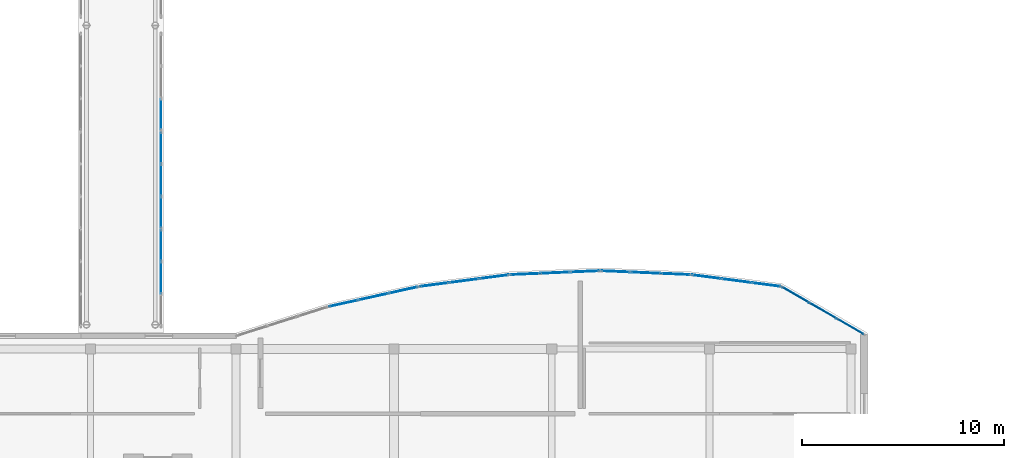
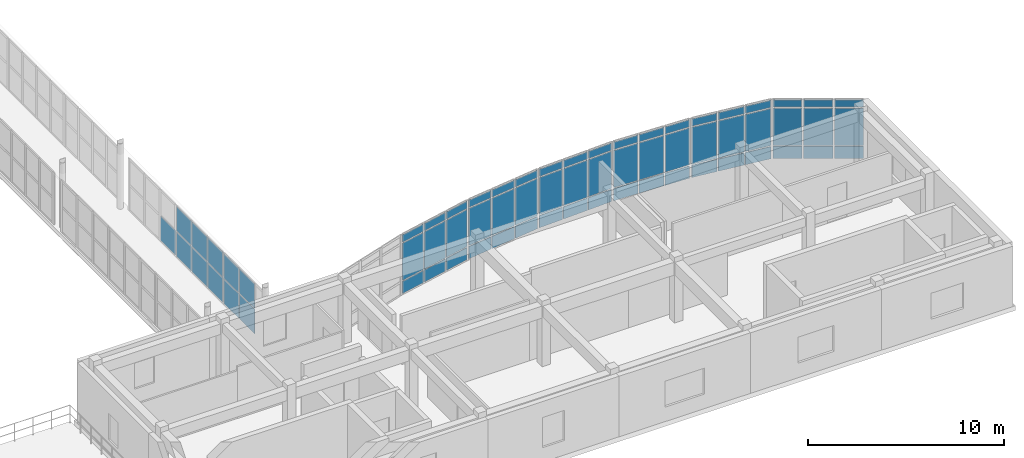
# One storey, part 38 of 52: 65 plates, 9 elements without a shape of their own.
"""IFC4 building model written with IfcOpenShell, lengths in metres."""

from ifc_helpers import new_model, si_unit, direction, frame, origin, origin_2d, place, context, subcontext, project, spatial, rectangle, extrude, material, layer, layer_set, type_object, element, aggregate, save


model = new_model("IFC4")

# Units and contexts
model_context = context("Model", 3, precision=1e-05, world=origin(), true_north=direction((0.0, 1.0)))
body_context = subcontext(model_context, "Body", "Model", "MODEL_VIEW")
ifc_project = project(units=[si_unit("LENGTHUNIT", "METRE"), si_unit("AREAUNIT", "SQUARE_METRE"), si_unit("VOLUMEUNIT", "CUBIC_METRE"), si_unit("PLANEANGLEUNIT", "RADIAN"), si_unit("MASSUNIT", "GRAM", prefix="KILO")], contexts=[model_context])

# Site, building, storey
site_placement = place(None, origin())
site = spatial("IfcSite", under=ifc_project, at=site_placement, CompositionType="ELEMENT")
building_placement = place(site_placement, origin())
building = spatial("IfcBuilding", under=site, at=building_placement, Name="Valcora Specialist Clinic", CompositionType="ELEMENT")
storey_placement = place(building_placement, frame((0.0, 0.0, 17.679931640625)))
storey = spatial("IfcBuildingStorey", under=building, at=storey_placement, Name="L04", CompositionType="ELEMENT", Elevation=17.679931640625)

# Curtain wall, plates
ifc_material_1 = material(Name="Anodized Bronze Aluminium 6063-T6", Category="aluminium")
ifc_layer_1 = layer(ifc_material_1, 0.175048828125)
ifc_layer_set_1 = layer_set([ifc_layer_1], Name="Anodized Bronze Aluminium 6063-T6")
curtain_wall_type_1 = type_object("IfcCurtainWallType", Name="TY-CW-ARC40", PredefinedType="NOTDEFINED", material=ifc_layer_set_1)
curtain_wall_1_placement = place(storey_placement, origin())
curtain_wall_1 = element("IfcCurtainWall", 1, at=curtain_wall_1_placement, inside=storey, type_object=curtain_wall_type_1, Name="Curtain wall CW-L04-220", PredefinedType="NOTDEFINED")
ifc_material_2 = material(Name="Low-E Laminated Insulating Glass", Category="glass")
ifc_layer_2 = layer(ifc_material_2, 0.028076171875)
ifc_layer_set_2 = layer_set([ifc_layer_2], Name="Low-E Laminated Insulating Glass")
plate_type_1 = type_object("IfcPlateType", Name="TY-CWP-GLZ28", PredefinedType="CURTAIN_PANEL", material=ifc_layer_set_2)
plate_1_placement = place(storey_placement, frame((78.7900390625, 25.182373046875, 0.882568359375), z_axis=(0.0, 0.0, 1.0), x_axis=(0.991514060421, 0.129999492259, 0.0)))
plate_1 = element("IfcPlate", 2, at=plate_1_placement, type_object=plate_type_1, Name="CW-ARC-40 panel 1.2", PredefinedType="CURTAIN_PANEL", context=body_context, shape_type="SweptSolid", body=[
    extrude(rectangle(XDim=1.410888671875, YDim=0.028076171875, at=origin_2d()), origin(), (0.0, 0.0, 1.0), 2.31005859375),
])
plate_2_placement = place(storey_placement, frame((78.7900390625, 25.182373046875, 3.2578125), z_axis=(0.0, 0.0, 1.0), x_axis=(0.991514060421, 0.129999492259, 0.0)))
plate_2 = element("IfcPlate", 3, at=plate_2_placement, type_object=plate_type_1, Name="CW-ARC-40 panel 1.3", PredefinedType="CURTAIN_PANEL", context=body_context, shape_type="SweptSolid", body=[
    extrude(rectangle(XDim=1.410888671875, YDim=0.028076171875, at=origin_2d()), origin(), (0.0, 0.0, 1.0), 0.452392578125),
])
plate_3_placement = place(storey_placement, frame((80.26953125, 25.376220703125, 0.882568359375), z_axis=(0.0, 0.0, 1.0), x_axis=(0.991514060421, 0.129999492259, 0.0)))
plate_3 = element("IfcPlate", 4, at=plate_3_placement, type_object=plate_type_1, Name="CW-ARC-40 panel 2.2", PredefinedType="CURTAIN_PANEL", context=body_context, shape_type="SweptSolid", body=[
    extrude(rectangle(XDim=1.443359375, YDim=0.028076171875, at=origin_2d()), origin(), (0.0, 0.0, 1.0), 2.31005859375),
])
plate_4_placement = place(storey_placement, frame((80.26953125, 25.376220703125, 3.2578125), z_axis=(0.0, 0.0, 1.0), x_axis=(0.991514060421, 0.129999492259, 0.0)))
plate_4 = element("IfcPlate", 5, at=plate_4_placement, type_object=plate_type_1, Name="CW-ARC-40 panel 2.3", PredefinedType="CURTAIN_PANEL", context=body_context, shape_type="SweptSolid", body=[
    extrude(rectangle(XDim=1.443359375, YDim=0.028076171875, at=origin_2d()), origin(), (0.0, 0.0, 1.0), 0.452392578125),
])
plate_5_placement = place(storey_placement, frame((81.7490234375, 25.5703125, 0.882568359375), z_axis=(0.0, 0.0, 1.0), x_axis=(0.991514060421, 0.129999492259, 0.0)))
plate_5 = element("IfcPlate", 6, at=plate_5_placement, type_object=plate_type_1, Name="CW-ARC-40 panel 3.2", PredefinedType="CURTAIN_PANEL", context=body_context, shape_type="SweptSolid", body=[
    extrude(rectangle(XDim=1.410888671875, YDim=0.028076171875, at=origin_2d()), origin(), (0.0, 0.0, 1.0), 2.31005859375),
])
plate_6_placement = place(storey_placement, frame((81.7490234375, 25.5703125, 3.2578125), z_axis=(0.0, 0.0, 1.0), x_axis=(0.991514060421, 0.129999492259, 0.0)))
plate_6 = element("IfcPlate", 7, at=plate_6_placement, type_object=plate_type_1, Name="CW-ARC-40 panel 3.3", PredefinedType="CURTAIN_PANEL", context=body_context, shape_type="SweptSolid", body=[
    extrude(rectangle(XDim=1.410888671875, YDim=0.028076171875, at=origin_2d()), origin(), (0.0, 0.0, 1.0), 0.452392578125),
])

curtain_wall_2_placement = place(storey_placement, origin())
curtain_wall_2 = element("IfcCurtainWall", 8, at=curtain_wall_2_placement, inside=storey, type_object=curtain_wall_type_1, Name="Curtain wall CW-L04-222", PredefinedType="NOTDEFINED")
plate_7_placement = place(storey_placement, frame((87.76416015625, 25.831787109375, 0.882568359375), z_axis=(0.0, 0.0, 1.0), x_axis=(0.999061821291, -0.043306780525, 0.0)))
plate_7 = element("IfcPlate", 9, at=plate_7_placement, type_object=plate_type_1, Name="CW-ARC-40 panel 1.2", PredefinedType="CURTAIN_PANEL", context=body_context, shape_type="SweptSolid", body=[
    extrude(rectangle(XDim=1.399658203125, YDim=0.028076171875, at=origin_2d()), origin(), (0.0, 0.0, 1.0), 2.31005859375),
])
plate_8_placement = place(storey_placement, frame((87.76416015625, 25.831787109375, 3.2578125), z_axis=(0.0, 0.0, 1.0), x_axis=(0.999061821291, -0.043306780525, 0.0)))
plate_8 = element("IfcPlate", 10, at=plate_8_placement, type_object=plate_type_1, Name="CW-ARC-40 panel 1.3", PredefinedType="CURTAIN_PANEL", context=body_context, shape_type="SweptSolid", body=[
    extrude(rectangle(XDim=1.399658203125, YDim=0.028076171875, at=origin_2d()), origin(), (0.0, 0.0, 1.0), 0.452392578125),
])
plate_9_placement = place(storey_placement, frame((89.243408203125, 25.767578125, 0.882568359375), z_axis=(0.0, 0.0, 1.0), x_axis=(0.999061821291, -0.043306780525, 0.0)))
plate_9 = element("IfcPlate", 11, at=plate_9_placement, type_object=plate_type_1, Name="CW-ARC-40 panel 2.2", PredefinedType="CURTAIN_PANEL", context=body_context, shape_type="SweptSolid", body=[
    extrude(rectangle(XDim=1.43212890625, YDim=0.028076171875, at=origin_2d()), origin(), (0.0, 0.0, 1.0), 2.31005859375),
])
plate_10_placement = place(storey_placement, frame((89.243408203125, 25.767578125, 3.2578125), z_axis=(0.0, 0.0, 1.0), x_axis=(0.999061821291, -0.043306780525, 0.0)))
plate_10 = element("IfcPlate", 12, at=plate_10_placement, type_object=plate_type_1, Name="CW-ARC-40 panel 2.3", PredefinedType="CURTAIN_PANEL", context=body_context, shape_type="SweptSolid", body=[
    extrude(rectangle(XDim=1.43212890625, YDim=0.028076171875, at=origin_2d()), origin(), (0.0, 0.0, 1.0), 0.452392578125),
])
plate_11_placement = place(storey_placement, frame((90.722900390625, 25.70361328125, 0.882568359375), z_axis=(0.0, 0.0, 1.0), x_axis=(0.999061821291, -0.043306780525, 0.0)))
plate_11 = element("IfcPlate", 13, at=plate_11_placement, type_object=plate_type_1, Name="CW-ARC-40 panel 3.2", PredefinedType="CURTAIN_PANEL", context=body_context, shape_type="SweptSolid", body=[
    extrude(rectangle(XDim=1.399658203125, YDim=0.028076171875, at=origin_2d()), origin(), (0.0, 0.0, 1.0), 2.31005859375),
])
plate_12_placement = place(storey_placement, frame((90.722900390625, 25.70361328125, 3.2578125), z_axis=(0.0, 0.0, 1.0), x_axis=(0.999061821291, -0.043306780525, 0.0)))
plate_12 = element("IfcPlate", 14, at=plate_12_placement, type_object=plate_type_1, Name="CW-ARC-40 panel 3.3", PredefinedType="CURTAIN_PANEL", context=body_context, shape_type="SweptSolid", body=[
    extrude(rectangle(XDim=1.399658203125, YDim=0.028076171875, at=origin_2d()), origin(), (0.0, 0.0, 1.0), 0.452392578125),
])

curtain_wall_3_placement = place(storey_placement, origin())
curtain_wall_3 = element("IfcCurtainWall", 15, at=curtain_wall_3_placement, inside=storey, type_object=curtain_wall_type_1, Name="Curtain wall CW-L04-224", PredefinedType="NOTDEFINED")
plate_13_placement = place(storey_placement, frame((96.64794921875, 24.681884765625, 0.882568359375), z_axis=(0.0, 0.0, 1.0), x_axis=(0.865565517799, -0.500795701257, 0.0)))
plate_13 = element("IfcPlate", 16, at=plate_13_placement, type_object=plate_type_1, Name="CW-ARC-40 panel 1.2", PredefinedType="CURTAIN_PANEL", context=body_context, shape_type="SweptSolid", body=[
    extrude(rectangle(XDim=1.481201171875, YDim=0.028076171875, at=origin_2d()), origin(), (0.0, 0.0, 1.0), 2.31005859375),
])
plate_14_placement = place(storey_placement, frame((96.64794921875, 24.681884765625, 3.2578125), z_axis=(0.0, 0.0, 1.0), x_axis=(0.865565517799, -0.500795701257, 0.0)))
plate_14 = element("IfcPlate", 17, at=plate_14_placement, type_object=plate_type_1, Name="CW-ARC-40 panel 1.3", PredefinedType="CURTAIN_PANEL", context=body_context, shape_type="SweptSolid", body=[
    extrude(rectangle(XDim=1.481201171875, YDim=0.028076171875, at=origin_2d()), origin(), (0.0, 0.0, 1.0), 0.452392578125),
])
plate_15_placement = place(storey_placement, frame((98.00048828125, 23.8994140625, 0.882568359375), z_axis=(0.0, 0.0, 1.0), x_axis=(0.865565517799, -0.500795701257, 0.0)))
plate_15 = element("IfcPlate", 18, at=plate_15_placement, type_object=plate_type_1, Name="CW-ARC-40 panel 2.2", PredefinedType="CURTAIN_PANEL", context=body_context, shape_type="SweptSolid", body=[
    extrude(rectangle(XDim=1.513671875, YDim=0.028076171875, at=origin_2d()), origin(), (0.0, 0.0, 1.0), 2.31005859375),
])
plate_16_placement = place(storey_placement, frame((98.00048828125, 23.8994140625, 3.2578125), z_axis=(0.0, 0.0, 1.0), x_axis=(0.865565517799, -0.500795701257, 0.0)))
plate_16 = element("IfcPlate", 19, at=plate_16_placement, type_object=plate_type_1, Name="CW-ARC-40 panel 2.3", PredefinedType="CURTAIN_PANEL", context=body_context, shape_type="SweptSolid", body=[
    extrude(rectangle(XDim=1.513671875, YDim=0.028076171875, at=origin_2d()), origin(), (0.0, 0.0, 1.0), 0.452392578125),
])
plate_17_placement = place(storey_placement, frame((99.352783203125, 23.116943359375, 0.882568359375), z_axis=(0.0, 0.0, 1.0), x_axis=(0.865565517799, -0.500795701257, 0.0)))
plate_17 = element("IfcPlate", 20, at=plate_17_placement, type_object=plate_type_1, Name="CW-ARC-40 panel 3.2", PredefinedType="CURTAIN_PANEL", context=body_context, shape_type="SweptSolid", body=[
    extrude(rectangle(XDim=1.481201171875, YDim=0.028076171875, at=origin_2d()), origin(), (0.0, 0.0, 1.0), 2.31005859375),
])
plate_18_placement = place(storey_placement, frame((99.352783203125, 23.116943359375, 3.2578125), z_axis=(0.0, 0.0, 1.0), x_axis=(0.865565517799, -0.500795701257, 0.0)))
plate_18 = element("IfcPlate", 21, at=plate_18_placement, type_object=plate_type_1, Name="CW-ARC-40 panel 3.3", PredefinedType="CURTAIN_PANEL", context=body_context, shape_type="SweptSolid", body=[
    extrude(rectangle(XDim=1.481201171875, YDim=0.028076171875, at=origin_2d()), origin(), (0.0, 0.0, 1.0), 0.452392578125),
])

ifc_layer_3 = layer(ifc_material_1, 0.175048828125)
ifc_layer_set_3 = layer_set([ifc_layer_3], Name="Anodized Bronze Aluminium 6063-T6")
curtain_wall_type_2 = type_object("IfcCurtainWallType", Name="TY-CW-BRG14", PredefinedType="NOTDEFINED", material=ifc_layer_set_3)
curtain_wall_4_placement = place(storey_placement, origin())
curtain_wall_4 = element("IfcCurtainWall", 22, at=curtain_wall_4_placement, inside=storey, type_object=curtain_wall_type_2, Name="Curtain wall CW-L04-276", PredefinedType="NOTDEFINED")
plate_19_placement = place(storey_placement, frame((65.280029296875, 25.5166015625, 0.065185546875), z_axis=(0.0, 0.0, 1.0), x_axis=(0.0, 1.0, 0.0)))
plate_19 = element("IfcPlate", 23, at=plate_19_placement, type_object=plate_type_1, Name="CW-BRG-14 panel 2.1", PredefinedType="CURTAIN_PANEL", context=body_context, shape_type="SweptSolid", body=[
    extrude(rectangle(XDim=1.546142578125, YDim=0.028076171875, at=origin_2d()), origin(), (0.0, 0.0, 1.0), 1.5224609375),
])
plate_20_placement = place(storey_placement, frame((65.280029296875, 25.5166015625, 1.652587890625), z_axis=(0.0, 0.0, 1.0), x_axis=(0.0, 1.0, 0.0)))
plate_20 = element("IfcPlate", 24, at=plate_20_placement, type_object=plate_type_1, Name="CW-BRG-14 panel 2.2", PredefinedType="CURTAIN_PANEL", context=body_context, shape_type="SweptSolid", body=[
    extrude(rectangle(XDim=1.546142578125, YDim=0.028076171875, at=origin_2d()), origin(), (0.0, 0.0, 1.0), 1.5224609375),
])
plate_21_placement = place(storey_placement, frame((65.280029296875, 27.111572265625, 0.065185546875), z_axis=(0.0, 0.0, 1.0), x_axis=(0.0, 1.0, 0.0)))
plate_21 = element("IfcPlate", 25, at=plate_21_placement, type_object=plate_type_1, Name="CW-BRG-14 panel 3.1", PredefinedType="CURTAIN_PANEL", context=body_context, shape_type="SweptSolid", body=[
    extrude(rectangle(XDim=1.513671875, YDim=0.028076171875, at=origin_2d()), origin(), (0.0, 0.0, 1.0), 1.5224609375),
])
plate_22_placement = place(storey_placement, frame((65.280029296875, 27.111572265625, 1.652587890625), z_axis=(0.0, 0.0, 1.0), x_axis=(0.0, 1.0, 0.0)))
plate_22 = element("IfcPlate", 26, at=plate_22_placement, type_object=plate_type_1, Name="CW-BRG-14 panel 3.2", PredefinedType="CURTAIN_PANEL", context=body_context, shape_type="SweptSolid", body=[
    extrude(rectangle(XDim=1.513671875, YDim=0.028076171875, at=origin_2d()), origin(), (0.0, 0.0, 1.0), 1.5224609375),
])
aggregate(curtain_wall_4, [plate_19, plate_20, plate_21, plate_22])

# Curtain wall, plate
curtain_wall_5_placement = place(storey_placement, origin())
curtain_wall_5 = element("IfcCurtainWall", 27, at=curtain_wall_5_placement, inside=storey, type_object=curtain_wall_type_2, Name="Curtain wall CW-L04-278", PredefinedType="NOTDEFINED")
plate_23_placement = place(storey_placement, frame((65.280029296875, 33.58837890625, 0.065185546875), z_axis=(0.0, 0.0, 1.0), x_axis=(0.0, 1.0, 0.0)))
plate_23 = element("IfcPlate", 28, at=plate_23_placement, type_object=plate_type_1, Name="CW-BRG-14 panel 1.1", PredefinedType="CURTAIN_PANEL", context=body_context, shape_type="SweptSolid", body=[
    extrude(rectangle(XDim=1.513671875, YDim=0.028076171875, at=origin_2d()), origin(), (0.0, 0.0, 1.0), 1.5224609375),
])
aggregate(curtain_wall_5, [plate_23])

# Curtain wall, plates
curtain_wall_6_placement = place(storey_placement, origin())
curtain_wall_6 = element("IfcCurtainWall", 29, at=curtain_wall_6_placement, inside=storey, type_object=curtain_wall_type_1, Name="Curtain wall CW-L04-219", PredefinedType="NOTDEFINED")
ifc_layer_4 = layer(ifc_material_2, 0.033935546875)
ifc_layer_set_4 = layer_set([ifc_layer_4], Name="Low-E Laminated Insulating Glass")
plate_type_2 = type_object("IfcPlateType", Name="TY-CWP-GLZ34", PredefinedType="CURTAIN_PANEL", material=ifc_layer_set_4)
plate_24_placement = place(storey_placement, frame((74.302734375, 24.25634765625, 0.882568359375), z_axis=(0.0, 0.0, 1.0), x_axis=(0.976278614432, 0.216518052372, 0.0)))
plate_24 = element("IfcPlate", 30, at=plate_24_placement, type_object=plate_type_2, Name="CW-ARC-40 panel 1.2", PredefinedType="CURTAIN_PANEL", context=body_context, shape_type="SweptSolid", body=[
    extrude(rectangle(XDim=1.4345703125, YDim=0.033935546875, at=origin_2d()), origin(), (0.0, 0.0, 1.0), 2.31005859375),
])
plate_25_placement = place(storey_placement, frame((74.302734375, 24.25634765625, 3.2578125), z_axis=(0.0, 0.0, 1.0), x_axis=(0.976278614432, 0.216518052372, 0.0)))
plate_25 = element("IfcPlate", 31, at=plate_25_placement, type_object=plate_type_2, Name="CW-ARC-40 panel 1.3", PredefinedType="CURTAIN_PANEL", context=body_context, shape_type="SweptSolid", body=[
    extrude(rectangle(XDim=1.4345703125, YDim=0.033935546875, at=origin_2d()), origin(), (0.0, 0.0, 1.0), 0.452392578125),
])
plate_26_placement = place(storey_placement, frame((75.782470703125, 24.58447265625, 0.882568359375), z_axis=(0.0, 0.0, 1.0), x_axis=(0.976278614432, 0.216518052372, 0.0)))
plate_26 = element("IfcPlate", 32, at=plate_26_placement, type_object=plate_type_2, Name="CW-ARC-40 panel 2.2", PredefinedType="CURTAIN_PANEL", context=body_context, shape_type="SweptSolid", body=[
    extrude(rectangle(XDim=1.467041015625, YDim=0.033935546875, at=origin_2d()), origin(), (0.0, 0.0, 1.0), 2.31005859375),
])
plate_27_placement = place(storey_placement, frame((75.782470703125, 24.58447265625, 3.2578125), z_axis=(0.0, 0.0, 1.0), x_axis=(0.976278614432, 0.216518052372, 0.0)))
plate_27 = element("IfcPlate", 33, at=plate_27_placement, type_object=plate_type_2, Name="CW-ARC-40 panel 2.3", PredefinedType="CURTAIN_PANEL", context=body_context, shape_type="SweptSolid", body=[
    extrude(rectangle(XDim=1.467041015625, YDim=0.033935546875, at=origin_2d()), origin(), (0.0, 0.0, 1.0), 0.452392578125),
])
plate_28_placement = place(storey_placement, frame((77.26220703125, 24.912841796875, 0.882568359375), z_axis=(0.0, 0.0, 1.0), x_axis=(0.976278614432, 0.216518052372, 0.0)))
plate_28 = element("IfcPlate", 34, at=plate_28_placement, type_object=plate_type_2, Name="CW-ARC-40 panel 3.2", PredefinedType="CURTAIN_PANEL", context=body_context, shape_type="SweptSolid", body=[
    extrude(rectangle(XDim=1.4345703125, YDim=0.033935546875, at=origin_2d()), origin(), (0.0, 0.0, 1.0), 2.31005859375),
])
plate_29_placement = place(storey_placement, frame((77.26220703125, 24.912841796875, 3.2578125), z_axis=(0.0, 0.0, 1.0), x_axis=(0.976278614432, 0.216518052372, 0.0)))
plate_29 = element("IfcPlate", 35, at=plate_29_placement, type_object=plate_type_2, Name="CW-ARC-40 panel 3.3", PredefinedType="CURTAIN_PANEL", context=body_context, shape_type="SweptSolid", body=[
    extrude(rectangle(XDim=1.4345703125, YDim=0.033935546875, at=origin_2d()), origin(), (0.0, 0.0, 1.0), 0.452392578125),
])

curtain_wall_7_placement = place(storey_placement, origin())
curtain_wall_7 = element("IfcCurtainWall", 36, at=curtain_wall_7_placement, inside=storey, type_object=curtain_wall_type_1, Name="Curtain wall CW-L04-221", PredefinedType="NOTDEFINED")
plate_30_placement = place(storey_placement, frame((83.277099609375, 25.70361328125, 0.882568359375), z_axis=(0.0, 0.0, 1.0), x_axis=(0.999061821291, 0.043306780525, 0.0)))
plate_30 = element("IfcPlate", 37, at=plate_30_placement, type_object=plate_type_2, Name="CW-ARC-40 panel 1.2", PredefinedType="CURTAIN_PANEL", context=body_context, shape_type="SweptSolid", body=[
    extrude(rectangle(XDim=1.399658203125, YDim=0.033935546875, at=origin_2d()), origin(), (0.0, 0.0, 1.0), 2.31005859375),
])
plate_31_placement = place(storey_placement, frame((83.277099609375, 25.70361328125, 3.2578125), z_axis=(0.0, 0.0, 1.0), x_axis=(0.999061821291, 0.043306780525, 0.0)))
plate_31 = element("IfcPlate", 38, at=plate_31_placement, type_object=plate_type_2, Name="CW-ARC-40 panel 1.3", PredefinedType="CURTAIN_PANEL", context=body_context, shape_type="SweptSolid", body=[
    extrude(rectangle(XDim=1.399658203125, YDim=0.033935546875, at=origin_2d()), origin(), (0.0, 0.0, 1.0), 0.452392578125),
])
plate_32_placement = place(storey_placement, frame((84.756591796875, 25.767578125, 0.882568359375), z_axis=(0.0, 0.0, 1.0), x_axis=(0.999061821291, 0.043306780525, 0.0)))
plate_32 = element("IfcPlate", 39, at=plate_32_placement, type_object=plate_type_2, Name="CW-ARC-40 panel 2.2", PredefinedType="CURTAIN_PANEL", context=body_context, shape_type="SweptSolid", body=[
    extrude(rectangle(XDim=1.43212890625, YDim=0.033935546875, at=origin_2d()), origin(), (0.0, 0.0, 1.0), 2.31005859375),
])
plate_33_placement = place(storey_placement, frame((84.756591796875, 25.767578125, 3.2578125), z_axis=(0.0, 0.0, 1.0), x_axis=(0.999061821291, 0.043306780525, 0.0)))
plate_33 = element("IfcPlate", 40, at=plate_33_placement, type_object=plate_type_2, Name="CW-ARC-40 panel 2.3", PredefinedType="CURTAIN_PANEL", context=body_context, shape_type="SweptSolid", body=[
    extrude(rectangle(XDim=1.43212890625, YDim=0.033935546875, at=origin_2d()), origin(), (0.0, 0.0, 1.0), 0.452392578125),
])
plate_34_placement = place(storey_placement, frame((86.23583984375, 25.831787109375, 0.882568359375), z_axis=(0.0, 0.0, 1.0), x_axis=(0.999061821291, 0.043306780525, 0.0)))
plate_34 = element("IfcPlate", 41, at=plate_34_placement, type_object=plate_type_2, Name="CW-ARC-40 panel 3.2", PredefinedType="CURTAIN_PANEL", context=body_context, shape_type="SweptSolid", body=[
    extrude(rectangle(XDim=1.399658203125, YDim=0.033935546875, at=origin_2d()), origin(), (0.0, 0.0, 1.0), 2.31005859375),
])
plate_35_placement = place(storey_placement, frame((86.23583984375, 25.831787109375, 3.2578125), z_axis=(0.0, 0.0, 1.0), x_axis=(0.999061821291, 0.043306780525, 0.0)))
plate_35 = element("IfcPlate", 42, at=plate_35_placement, type_object=plate_type_2, Name="CW-ARC-40 panel 3.3", PredefinedType="CURTAIN_PANEL", context=body_context, shape_type="SweptSolid", body=[
    extrude(rectangle(XDim=1.399658203125, YDim=0.033935546875, at=origin_2d()), origin(), (0.0, 0.0, 1.0), 0.452392578125),
])

curtain_wall_8_placement = place(storey_placement, origin())
curtain_wall_8 = element("IfcCurtainWall", 43, at=curtain_wall_8_placement, inside=storey, type_object=curtain_wall_type_1, Name="Curtain wall CW-L04-223", PredefinedType="NOTDEFINED")
plate_36_placement = place(storey_placement, frame((92.2470703125, 25.57080078125, 0.882568359375), z_axis=(0.0, 0.0, 1.0), x_axis=(0.991515726638, -0.129986783286, 0.0)))
plate_36 = element("IfcPlate", 44, at=plate_36_placement, type_object=plate_type_2, Name="CW-ARC-40 panel 1.2", PredefinedType="CURTAIN_PANEL", context=body_context, shape_type="SweptSolid", body=[
    extrude(rectangle(XDim=1.403076171875, YDim=0.033935546875, at=origin_2d()), origin(), (0.0, 0.0, 1.0), 2.31005859375),
])
plate_37_placement = place(storey_placement, frame((92.2470703125, 25.57080078125, 3.2578125), z_axis=(0.0, 0.0, 1.0), x_axis=(0.991515726638, -0.129986783286, 0.0)))
plate_37 = element("IfcPlate", 45, at=plate_37_placement, type_object=plate_type_2, Name="CW-ARC-40 panel 1.3", PredefinedType="CURTAIN_PANEL", context=body_context, shape_type="SweptSolid", body=[
    extrude(rectangle(XDim=1.403076171875, YDim=0.033935546875, at=origin_2d()), origin(), (0.0, 0.0, 1.0), 0.452392578125),
])
plate_38_placement = place(storey_placement, frame((93.718994140625, 25.377685546875, 0.882568359375), z_axis=(0.0, 0.0, 1.0), x_axis=(0.991515726638, -0.129986783286, 0.0)))
plate_38 = element("IfcPlate", 46, at=plate_38_placement, type_object=plate_type_2, Name="CW-ARC-40 panel 2.2", PredefinedType="CURTAIN_PANEL", context=body_context, shape_type="SweptSolid", body=[
    extrude(rectangle(XDim=1.435546875, YDim=0.033935546875, at=origin_2d()), origin(), (0.0, 0.0, 1.0), 2.31005859375),
])
plate_39_placement = place(storey_placement, frame((93.718994140625, 25.377685546875, 3.2578125), z_axis=(0.0, 0.0, 1.0), x_axis=(0.991515726638, -0.129986783286, 0.0)))
plate_39 = element("IfcPlate", 47, at=plate_39_placement, type_object=plate_type_2, Name="CW-ARC-40 panel 2.3", PredefinedType="CURTAIN_PANEL", context=body_context, shape_type="SweptSolid", body=[
    extrude(rectangle(XDim=1.435546875, YDim=0.033935546875, at=origin_2d()), origin(), (0.0, 0.0, 1.0), 0.452392578125),
])
plate_40_placement = place(storey_placement, frame((95.190673828125, 25.184814453125, 0.882568359375), z_axis=(0.0, 0.0, 1.0), x_axis=(0.991515726638, -0.129986783286, 0.0)))
plate_40 = element("IfcPlate", 48, at=plate_40_placement, type_object=plate_type_2, Name="CW-ARC-40 panel 3.2", PredefinedType="CURTAIN_PANEL", context=body_context, shape_type="SweptSolid", body=[
    extrude(rectangle(XDim=1.403076171875, YDim=0.033935546875, at=origin_2d()), origin(), (0.0, 0.0, 1.0), 2.31005859375),
])
plate_41_placement = place(storey_placement, frame((95.190673828125, 25.184814453125, 3.2578125), z_axis=(0.0, 0.0, 1.0), x_axis=(0.991515726638, -0.129986783286, 0.0)))
plate_41 = element("IfcPlate", 49, at=plate_41_placement, type_object=plate_type_2, Name="CW-ARC-40 panel 3.3", PredefinedType="CURTAIN_PANEL", context=body_context, shape_type="SweptSolid", body=[
    extrude(rectangle(XDim=1.403076171875, YDim=0.033935546875, at=origin_2d()), origin(), (0.0, 0.0, 1.0), 0.452392578125),
])

curtain_wall_9_placement = place(storey_placement, origin())
curtain_wall_9 = element("IfcCurtainWall", 50, at=curtain_wall_9_placement, inside=storey, type_object=curtain_wall_type_2, Name="Curtain wall CW-L04-277", PredefinedType="NOTDEFINED")
plate_42_placement = place(storey_placement, frame((65.280029296875, 28.755126953125, 0.065185546875), z_axis=(0.0, 0.0, 1.0), x_axis=(0.0, 1.0, 0.0)))
plate_42 = element("IfcPlate", 51, at=plate_42_placement, type_object=plate_type_2, Name="CW-BRG-14 panel 1.1", PredefinedType="CURTAIN_PANEL", context=body_context, shape_type="SweptSolid", body=[
    extrude(rectangle(XDim=1.513671875, YDim=0.033935546875, at=origin_2d()), origin(), (0.0, 0.0, 1.0), 1.5224609375),
])
plate_43_placement = place(storey_placement, frame((65.280029296875, 28.755126953125, 1.652587890625), z_axis=(0.0, 0.0, 1.0), x_axis=(0.0, 1.0, 0.0)))
plate_43 = element("IfcPlate", 52, at=plate_43_placement, type_object=plate_type_2, Name="CW-BRG-14 panel 1.2", PredefinedType="CURTAIN_PANEL", context=body_context, shape_type="SweptSolid", body=[
    extrude(rectangle(XDim=1.513671875, YDim=0.033935546875, at=origin_2d()), origin(), (0.0, 0.0, 1.0), 1.5224609375),
])
plate_44_placement = place(storey_placement, frame((65.280029296875, 30.35009765625, 0.065185546875), z_axis=(0.0, 0.0, 1.0), x_axis=(0.0, 1.0, 0.0)))
plate_44 = element("IfcPlate", 53, at=plate_44_placement, type_object=plate_type_2, Name="CW-BRG-14 panel 2.1", PredefinedType="CURTAIN_PANEL", context=body_context, shape_type="SweptSolid", body=[
    extrude(rectangle(XDim=1.546142578125, YDim=0.033935546875, at=origin_2d()), origin(), (0.0, 0.0, 1.0), 1.5224609375),
])
plate_45_placement = place(storey_placement, frame((65.280029296875, 30.35009765625, 1.652587890625), z_axis=(0.0, 0.0, 1.0), x_axis=(0.0, 1.0, 0.0)))
plate_45 = element("IfcPlate", 54, at=plate_45_placement, type_object=plate_type_2, Name="CW-BRG-14 panel 2.2", PredefinedType="CURTAIN_PANEL", context=body_context, shape_type="SweptSolid", body=[
    extrude(rectangle(XDim=1.546142578125, YDim=0.033935546875, at=origin_2d()), origin(), (0.0, 0.0, 1.0), 1.5224609375),
])
plate_46_placement = place(storey_placement, frame((65.280029296875, 31.94482421875, 0.065185546875), z_axis=(0.0, 0.0, 1.0), x_axis=(0.0, 1.0, 0.0)))
plate_46 = element("IfcPlate", 55, at=plate_46_placement, type_object=plate_type_2, Name="CW-BRG-14 panel 3.1", PredefinedType="CURTAIN_PANEL", context=body_context, shape_type="SweptSolid", body=[
    extrude(rectangle(XDim=1.513671875, YDim=0.033935546875, at=origin_2d()), origin(), (0.0, 0.0, 1.0), 1.5224609375),
])
plate_47_placement = place(storey_placement, frame((65.280029296875, 31.94482421875, 1.652587890625), z_axis=(0.0, 0.0, 1.0), x_axis=(0.0, 1.0, 0.0)))
plate_47 = element("IfcPlate", 56, at=plate_47_placement, type_object=plate_type_2, Name="CW-BRG-14 panel 3.2", PredefinedType="CURTAIN_PANEL", context=body_context, shape_type="SweptSolid", body=[
    extrude(rectangle(XDim=1.513671875, YDim=0.033935546875, at=origin_2d()), origin(), (0.0, 0.0, 1.0), 1.5224609375),
])
aggregate(curtain_wall_9, [plate_42, plate_43, plate_44, plate_45, plate_46, plate_47])

# Plate
ifc_material_3 = material(Name="Insulated Spandrel Panel")
ifc_layer_5 = layer(ifc_material_3, 0.044921875)
ifc_layer_set_5 = layer_set([ifc_layer_5], Name="Insulated Spandrel Panel")
plate_type_3 = type_object("IfcPlateType", Name="TY-CWP-SPN45", PredefinedType="SHEET", material=ifc_layer_set_5)
plate_48_placement = place(storey_placement, frame((74.302734375, 24.25634765625, 0.065185546875), z_axis=(0.0, 0.0, 1.0), x_axis=(0.976278614432, 0.216518052372, 0.0)))
plate_48 = element("IfcPlate", 57, at=plate_48_placement, type_object=plate_type_3, Name="CW-ARC-40 panel 1.1", PredefinedType="SHEET", context=body_context, shape_type="SweptSolid", body=[
    extrude(rectangle(XDim=1.4345703125, YDim=0.044921875, at=origin_2d()), origin(), (0.0, 0.0, 1.0), 0.75244140625),
])

plate_49_placement = place(storey_placement, frame((75.782470703125, 24.58447265625, 0.065185546875), z_axis=(0.0, 0.0, 1.0), x_axis=(0.976278614432, 0.216518052372, 0.0)))
plate_49 = element("IfcPlate", 58, at=plate_49_placement, type_object=plate_type_3, Name="CW-ARC-40 panel 2.1", PredefinedType="SHEET", context=body_context, shape_type="SweptSolid", body=[
    extrude(rectangle(XDim=1.467041015625, YDim=0.044921875, at=origin_2d()), origin(), (0.0, 0.0, 1.0), 0.75244140625),
])

plate_50_placement = place(storey_placement, frame((77.26220703125, 24.912841796875, 0.065185546875), z_axis=(0.0, 0.0, 1.0), x_axis=(0.976278614432, 0.216518052372, 0.0)))
plate_50 = element("IfcPlate", 59, at=plate_50_placement, type_object=plate_type_3, Name="CW-ARC-40 panel 3.1", PredefinedType="SHEET", context=body_context, shape_type="SweptSolid", body=[
    extrude(rectangle(XDim=1.4345703125, YDim=0.044921875, at=origin_2d()), origin(), (0.0, 0.0, 1.0), 0.75244140625),
])

aggregate(curtain_wall_6, [plate_48, plate_24, plate_25, plate_49, plate_26, plate_27, plate_50, plate_28, plate_29])

plate_51_placement = place(storey_placement, frame((78.7900390625, 25.182373046875, 0.065185546875), z_axis=(0.0, 0.0, 1.0), x_axis=(0.991514060421, 0.129999492259, 0.0)))
plate_51 = element("IfcPlate", 60, at=plate_51_placement, type_object=plate_type_3, Name="CW-ARC-40 panel 1.1", PredefinedType="SHEET", context=body_context, shape_type="SweptSolid", body=[
    extrude(rectangle(XDim=1.410888671875, YDim=0.044921875, at=origin_2d()), origin(), (0.0, 0.0, 1.0), 0.75244140625),
])

plate_52_placement = place(storey_placement, frame((80.26953125, 25.376220703125, 0.065185546875), z_axis=(0.0, 0.0, 1.0), x_axis=(0.991514060421, 0.129999492259, 0.0)))
plate_52 = element("IfcPlate", 61, at=plate_52_placement, type_object=plate_type_3, Name="CW-ARC-40 panel 2.1", PredefinedType="SHEET", context=body_context, shape_type="SweptSolid", body=[
    extrude(rectangle(XDim=1.443359375, YDim=0.044921875, at=origin_2d()), origin(), (0.0, 0.0, 1.0), 0.75244140625),
])

plate_53_placement = place(storey_placement, frame((81.7490234375, 25.5703125, 0.065185546875), z_axis=(0.0, 0.0, 1.0), x_axis=(0.991514060421, 0.129999492259, 0.0)))
plate_53 = element("IfcPlate", 62, at=plate_53_placement, type_object=plate_type_3, Name="CW-ARC-40 panel 3.1", PredefinedType="SHEET", context=body_context, shape_type="SweptSolid", body=[
    extrude(rectangle(XDim=1.410888671875, YDim=0.044921875, at=origin_2d()), origin(), (0.0, 0.0, 1.0), 0.75244140625),
])

aggregate(curtain_wall_1, [plate_51, plate_1, plate_2, plate_52, plate_3, plate_4, plate_53, plate_5, plate_6])

plate_54_placement = place(storey_placement, frame((83.277099609375, 25.70361328125, 0.065185546875), z_axis=(0.0, 0.0, 1.0), x_axis=(0.999061821291, 0.043306780525, 0.0)))
plate_54 = element("IfcPlate", 63, at=plate_54_placement, type_object=plate_type_3, Name="CW-ARC-40 panel 1.1", PredefinedType="SHEET", context=body_context, shape_type="SweptSolid", body=[
    extrude(rectangle(XDim=1.399658203125, YDim=0.044921875, at=origin_2d()), origin(), (0.0, 0.0, 1.0), 0.75244140625),
])

plate_55_placement = place(storey_placement, frame((84.756591796875, 25.767578125, 0.065185546875), z_axis=(0.0, 0.0, 1.0), x_axis=(0.999061821291, 0.043306780525, 0.0)))
plate_55 = element("IfcPlate", 64, at=plate_55_placement, type_object=plate_type_3, Name="CW-ARC-40 panel 2.1", PredefinedType="SHEET", context=body_context, shape_type="SweptSolid", body=[
    extrude(rectangle(XDim=1.43212890625, YDim=0.044921875, at=origin_2d()), origin(), (0.0, 0.0, 1.0), 0.75244140625),
])

plate_56_placement = place(storey_placement, frame((86.23583984375, 25.831787109375, 0.065185546875), z_axis=(0.0, 0.0, 1.0), x_axis=(0.999061821291, 0.043306780525, 0.0)))
plate_56 = element("IfcPlate", 65, at=plate_56_placement, type_object=plate_type_3, Name="CW-ARC-40 panel 3.1", PredefinedType="SHEET", context=body_context, shape_type="SweptSolid", body=[
    extrude(rectangle(XDim=1.399658203125, YDim=0.044921875, at=origin_2d()), origin(), (0.0, 0.0, 1.0), 0.75244140625),
])

aggregate(curtain_wall_7, [plate_54, plate_30, plate_31, plate_55, plate_32, plate_33, plate_56, plate_34, plate_35])

plate_57_placement = place(storey_placement, frame((87.76416015625, 25.831787109375, 0.065185546875), z_axis=(0.0, 0.0, 1.0), x_axis=(0.999061821291, -0.043306780525, 0.0)))
plate_57 = element("IfcPlate", 66, at=plate_57_placement, type_object=plate_type_3, Name="CW-ARC-40 panel 1.1", PredefinedType="SHEET", context=body_context, shape_type="SweptSolid", body=[
    extrude(rectangle(XDim=1.399658203125, YDim=0.044921875, at=origin_2d()), origin(), (0.0, 0.0, 1.0), 0.75244140625),
])

plate_58_placement = place(storey_placement, frame((89.243408203125, 25.767578125, 0.065185546875), z_axis=(0.0, 0.0, 1.0), x_axis=(0.999061821291, -0.043306780525, 0.0)))
plate_58 = element("IfcPlate", 67, at=plate_58_placement, type_object=plate_type_3, Name="CW-ARC-40 panel 2.1", PredefinedType="SHEET", context=body_context, shape_type="SweptSolid", body=[
    extrude(rectangle(XDim=1.43212890625, YDim=0.044921875, at=origin_2d()), origin(), (0.0, 0.0, 1.0), 0.75244140625),
])

plate_59_placement = place(storey_placement, frame((90.722900390625, 25.70361328125, 0.065185546875), z_axis=(0.0, 0.0, 1.0), x_axis=(0.999061821291, -0.043306780525, 0.0)))
plate_59 = element("IfcPlate", 68, at=plate_59_placement, type_object=plate_type_3, Name="CW-ARC-40 panel 3.1", PredefinedType="SHEET", context=body_context, shape_type="SweptSolid", body=[
    extrude(rectangle(XDim=1.399658203125, YDim=0.044921875, at=origin_2d()), origin(), (0.0, 0.0, 1.0), 0.75244140625),
])

aggregate(curtain_wall_2, [plate_57, plate_7, plate_8, plate_58, plate_9, plate_10, plate_59, plate_11, plate_12])

plate_60_placement = place(storey_placement, frame((92.2470703125, 25.57080078125, 0.065185546875), z_axis=(0.0, 0.0, 1.0), x_axis=(0.991515726638, -0.129986783286, 0.0)))
plate_60 = element("IfcPlate", 69, at=plate_60_placement, type_object=plate_type_3, Name="CW-ARC-40 panel 1.1", PredefinedType="SHEET", context=body_context, shape_type="SweptSolid", body=[
    extrude(rectangle(XDim=1.403076171875, YDim=0.044921875, at=origin_2d()), origin(), (0.0, 0.0, 1.0), 0.75244140625),
])

plate_61_placement = place(storey_placement, frame((93.718994140625, 25.377685546875, 0.065185546875), z_axis=(0.0, 0.0, 1.0), x_axis=(0.991515726638, -0.129986783286, 0.0)))
plate_61 = element("IfcPlate", 70, at=plate_61_placement, type_object=plate_type_3, Name="CW-ARC-40 panel 2.1", PredefinedType="SHEET", context=body_context, shape_type="SweptSolid", body=[
    extrude(rectangle(XDim=1.435546875, YDim=0.044921875, at=origin_2d()), origin(), (0.0, 0.0, 1.0), 0.75244140625),
])

plate_62_placement = place(storey_placement, frame((95.190673828125, 25.184814453125, 0.065185546875), z_axis=(0.0, 0.0, 1.0), x_axis=(0.991515726638, -0.129986783286, 0.0)))
plate_62 = element("IfcPlate", 71, at=plate_62_placement, type_object=plate_type_3, Name="CW-ARC-40 panel 3.1", PredefinedType="SHEET", context=body_context, shape_type="SweptSolid", body=[
    extrude(rectangle(XDim=1.403076171875, YDim=0.044921875, at=origin_2d()), origin(), (0.0, 0.0, 1.0), 0.75244140625),
])

aggregate(curtain_wall_8, [plate_60, plate_36, plate_37, plate_61, plate_38, plate_39, plate_62, plate_40, plate_41])

plate_63_placement = place(storey_placement, frame((96.64794921875, 24.681884765625, 0.065185546875), z_axis=(0.0, 0.0, 1.0), x_axis=(0.865565517799, -0.500795701257, 0.0)))
plate_63 = element("IfcPlate", 72, at=plate_63_placement, type_object=plate_type_3, Name="CW-ARC-40 panel 1.1", PredefinedType="SHEET", context=body_context, shape_type="SweptSolid", body=[
    extrude(rectangle(XDim=1.481201171875, YDim=0.044921875, at=origin_2d()), origin(), (0.0, 0.0, 1.0), 0.75244140625),
])

plate_64_placement = place(storey_placement, frame((98.00048828125, 23.8994140625, 0.065185546875), z_axis=(0.0, 0.0, 1.0), x_axis=(0.865565517799, -0.500795701257, 0.0)))
plate_64 = element("IfcPlate", 73, at=plate_64_placement, type_object=plate_type_3, Name="CW-ARC-40 panel 2.1", PredefinedType="SHEET", context=body_context, shape_type="SweptSolid", body=[
    extrude(rectangle(XDim=1.513671875, YDim=0.044921875, at=origin_2d()), origin(), (0.0, 0.0, 1.0), 0.75244140625),
])

plate_65_placement = place(storey_placement, frame((99.352783203125, 23.116943359375, 0.065185546875), z_axis=(0.0, 0.0, 1.0), x_axis=(0.865565517799, -0.500795701257, 0.0)))
plate_65 = element("IfcPlate", 74, at=plate_65_placement, type_object=plate_type_3, Name="CW-ARC-40 panel 3.1", PredefinedType="SHEET", context=body_context, shape_type="SweptSolid", body=[
    extrude(rectangle(XDim=1.481201171875, YDim=0.044921875, at=origin_2d()), origin(), (0.0, 0.0, 1.0), 0.75244140625),
])

aggregate(curtain_wall_3, [plate_63, plate_13, plate_14, plate_64, plate_15, plate_16, plate_65, plate_17, plate_18])

save(model, "model.ifc")
